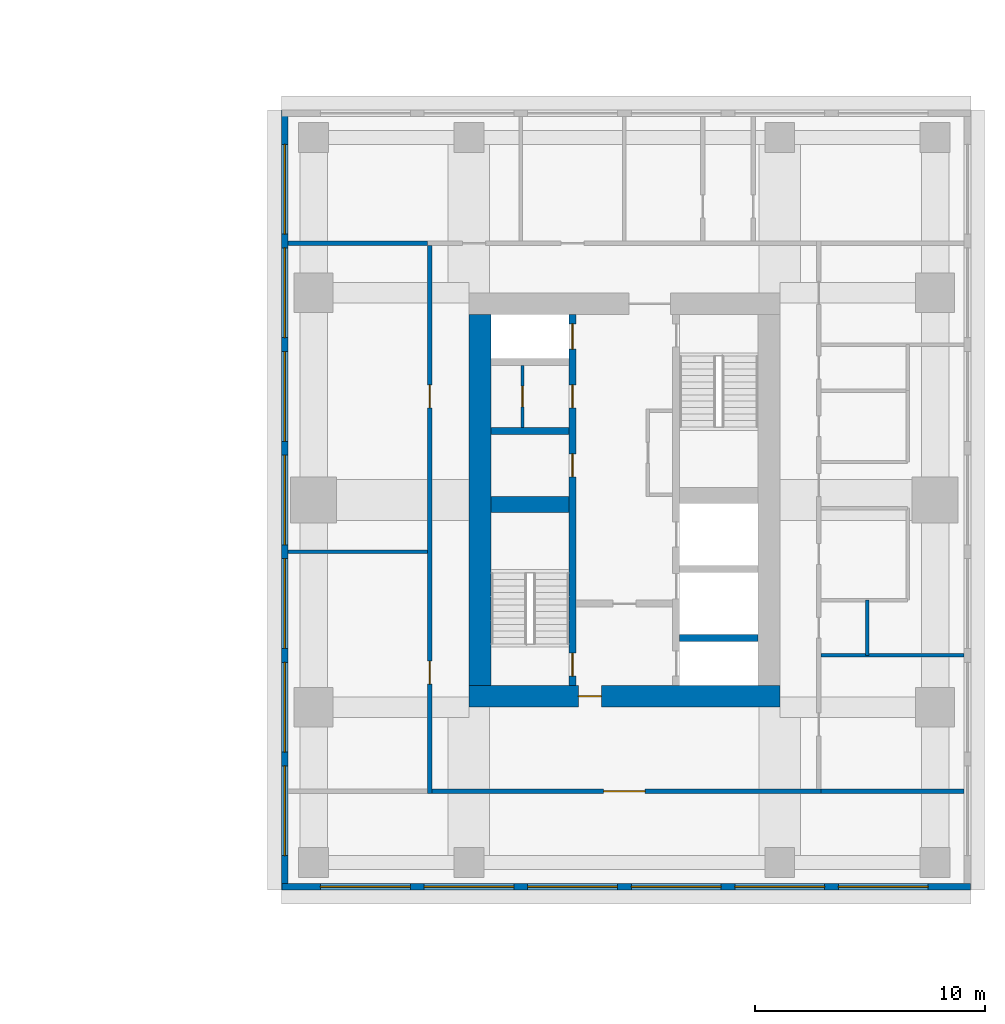
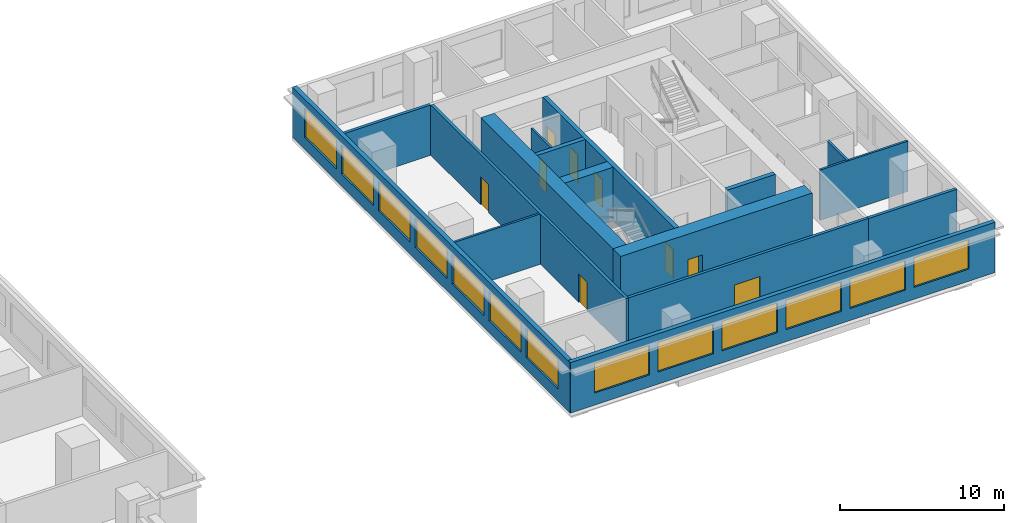
# One storey, part 6 of 11: 16 walls, 13 windows, 9 doors, 22 openings.
"""IFC4 building model written with IfcOpenShell, lengths in metres."""

from ifc_helpers import new_model, si_unit, direction, frame, frame_2d, origin, place, context, subcontext, project, spatial, rectangle, extrude, material, layer, layer_set, type_object, element, fill, save


model = new_model("IFC4")

# Units and contexts
model_context = context("Model", 3, precision=1e-05, world=origin(), true_north=direction((0.0, 1.0)))
body_context = subcontext(model_context, "Body", "Model", "MODEL_VIEW")
ifc_project = project(units=[si_unit("LENGTHUNIT", "METRE"), si_unit("AREAUNIT", "SQUARE_METRE"), si_unit("VOLUMEUNIT", "CUBIC_METRE"), si_unit("PLANEANGLEUNIT", "RADIAN"), si_unit("MASSUNIT", "GRAM", prefix="KILO")], contexts=[model_context])

# Site, building, storey
site_placement = place(None, origin())
site = spatial("IfcSite", under=ifc_project, at=site_placement, CompositionType="ELEMENT")
building_placement = place(site_placement, origin())
building = spatial("IfcBuilding", under=site, at=building_placement, Name="Namib Vertical Campus", CompositionType="ELEMENT")
storey_placement = place(building_placement, frame((0.0, 0.0, 205.0)))
storey = spatial("IfcBuildingStorey", under=building, at=storey_placement, Name="L48", CompositionType="ELEMENT", Elevation=205.0)

# Wall, openings, doors
ifc_material_1 = material(Name="Concrete C60/75", Category="concrete")
ifc_layer_1 = layer(ifc_material_1, 0.300048828125)
ifc_layer_set_1 = layer_set([ifc_layer_1], Name="Concrete C60/75")
wall_type_1 = type_object("IfcWallType", Name="Core inner wall 300", PredefinedType="SHEAR", material=ifc_layer_set_1)
wall_1_placement = place(storey_placement, frame((78.75, 12.199951171875, 0.0), z_axis=(0.0, 0.0, 1.0), x_axis=(0.0, 1.0, 0.0)))
wall_1 = element("IfcWall", 1, at=wall_1_placement, inside=storey, type_object=wall_type_1, Name="Core inner wall B L48 W1", PredefinedType="SHEAR", context=body_context, shape_type="SweptSolid", body=[
    extrude(rectangle(XDim=16.10009765625, YDim=0.300048828125, at=frame_2d((8.050048828125, 0.0))), origin(), (0.0, 0.0, 1.0), 4.0),
])
opening_1_placement = place(wall_1_placement, frame((0.39990234375, 0.0, 0.0)))
opening_1 = element("IfcOpeningElement", 2, at=opening_1_placement, cuts=wall_1, Name="Opening FD1", PredefinedType="OPENING", context=body_context, shape_type="SweptSolid", body=[
    extrude(rectangle(XDim=1.0, YDim=2.10009765625, at=frame_2d((0.5, 1.050048828125))), frame((0.0, 0.159912109375, 0.0), z_axis=(0.0, -1.0, 0.0), x_axis=(1.0, 0.0, 0.0)), (0.0, 0.0, 1.0), 0.320068359375),
])
opening_2_placement = place(wall_1_placement, frame((14.60009765625, 0.0, 0.0)))
opening_2 = element("IfcOpeningElement", 3, at=opening_2_placement, cuts=wall_1, Name="Opening LD1", PredefinedType="OPENING", context=body_context, shape_type="SweptSolid", body=[
    extrude(rectangle(XDim=1.10009765625, YDim=2.10009765625, at=frame_2d((0.550048828125, 1.050048828125))), frame((0.0, 0.159912109375, 0.0), z_axis=(0.0, -1.0, 0.0), x_axis=(1.0, 0.0, 0.0)), (0.0, 0.0, 1.0), 0.320068359375),
])
opening_3_placement = place(wall_1_placement, frame((9.050048828125, 0.0, 0.0)))
opening_3 = element("IfcOpeningElement", 4, at=opening_3_placement, cuts=wall_1, Name="Opening D1", PredefinedType="OPENING", context=body_context, shape_type="SweptSolid", body=[
    extrude(rectangle(XDim=1.0, YDim=2.10009765625, at=frame_2d((0.5, 1.050048828125))), frame((0.0, 0.159912109375, 0.0), z_axis=(0.0, -1.0, 0.0), x_axis=(1.0, 0.0, 0.0)), (0.0, 0.0, 1.0), 0.320068359375),
])
opening_4_placement = place(wall_1_placement, frame((12.050048828125, 0.0, 0.0)))
opening_4 = element("IfcOpeningElement", 5, at=opening_4_placement, cuts=wall_1, Name="Opening D1", PredefinedType="OPENING", context=body_context, shape_type="SweptSolid", body=[
    extrude(rectangle(XDim=1.0, YDim=2.10009765625, at=frame_2d((0.5, 1.050048828125))), frame((0.0, 0.159912109375, 0.0), z_axis=(0.0, -1.0, 0.0), x_axis=(1.0, 0.0, 0.0)), (0.0, 0.0, 1.0), 0.320068359375),
])
ifc_material_2 = material(Name="Timber door leaf", Category="wood")
door_type_1 = type_object("IfcDoorType", Name="Door single 1000x2100", OperationType="SINGLE_SWING_LEFT", PredefinedType="DOOR", material=ifc_material_2)
door_1_placement = place(opening_3_placement, origin())
door_1 = element("IfcDoor", 6, at=door_1_placement, inside=storey, type_object=door_type_1, Name="Door D1 Comms room B L48 P1", OperationType="SINGLE_SWING_LEFT", OverallHeight=2.10009765625, OverallWidth=1.0, PredefinedType="DOOR", context=body_context, shape_type="SweptSolid", body=[
    extrude(rectangle(XDim=1.0, YDim=2.10009765625, at=frame_2d((0.5, 1.050048828125))), frame((0.0, 0.02490234375, 0.0), z_axis=(0.0, -1.0, 0.0), x_axis=(1.0, 0.0, 0.0)), (0.0, 0.0, 1.0), 0.050048828125),
])
fill(opening_3, door_1)
door_2_placement = place(opening_4_placement, origin())
door_2 = element("IfcDoor", 7, at=door_2_placement, inside=storey, type_object=door_type_1, Name="Door D1 Store B L48 P2", OperationType="SINGLE_SWING_LEFT", OverallHeight=2.10009765625, OverallWidth=1.0, PredefinedType="DOOR", context=body_context, shape_type="SweptSolid", body=[
    extrude(rectangle(XDim=1.0, YDim=2.10009765625, at=frame_2d((0.5, 1.050048828125))), frame((0.0, 0.02490234375, 0.0), z_axis=(0.0, -1.0, 0.0), x_axis=(1.0, 0.0, 0.0)), (0.0, 0.0, 1.0), 0.050048828125),
])
fill(opening_4, door_2)
ifc_material_3 = material(Name="Steel fire door", Category="steel")
door_type_2 = type_object("IfcDoorType", Name="Fire door 1000x2100", OperationType="SINGLE_SWING_RIGHT", PredefinedType="DOOR", material=ifc_material_3)
door_3_placement = place(opening_1_placement, origin())
door_3 = element("IfcDoor", 8, at=door_3_placement, inside=storey, type_object=door_type_2, Name="Stair door FD1 B L48 S1", OperationType="SINGLE_SWING_LEFT", OverallHeight=2.10009765625, OverallWidth=1.0, PredefinedType="DOOR", context=body_context, shape_type="SweptSolid", body=[
    extrude(rectangle(XDim=1.0, YDim=2.10009765625, at=frame_2d((0.5, 1.050048828125))), frame((0.0, 0.02490234375, 0.0), z_axis=(0.0, -1.0, 0.0), x_axis=(1.0, 0.0, 0.0)), (0.0, 0.0, 1.0), 0.050048828125),
])
fill(opening_1, door_3)
ifc_material_4 = material(Name="Stainless steel lift door", Category="steel")
door_type_3 = type_object("IfcDoorType", Name="Lift landing door 1100x2100", OperationType="DOUBLE_DOOR_SLIDING", PredefinedType="DOOR", material=ifc_material_4)
door_4_placement = place(opening_2_placement, origin())
door_4 = element("IfcDoor", 9, at=door_4_placement, inside=storey, type_object=door_type_3, Name="Lift landing door LD1 B-P3 L48", OperationType="DOUBLE_DOOR_SLIDING", OverallHeight=2.10009765625, OverallWidth=1.10009765625, PredefinedType="DOOR", context=body_context, shape_type="SweptSolid", body=[
    extrude(rectangle(XDim=1.10009765625, YDim=2.10009765625, at=frame_2d((0.550048828125, 1.050048828125))), frame((0.0, 0.02490234375, 0.0), z_axis=(0.0, -1.0, 0.0), x_axis=(1.0, 0.0, 0.0)), (0.0, 0.0, 1.0), 0.050048828125),
])
fill(opening_2, door_4)

# Walls
for number, where, z_axis, x_axis, name in (
    (10, (83.39990234375, 14.25, 0.0), (0.0, 0.0, 1.0), (1.0, 0.0, 0.0), "Core inner wall B L48 W5"),
    (11, (75.199951171875, 23.25, 0.0), (0.0, 0.0, 1.0), (1.0, 0.0, 0.0), "Core inner wall B L48 W8"),
):
    element("IfcWall", number, at=place(storey_placement, frame(where, z_axis=z_axis, x_axis=x_axis)), inside=storey, type_object=wall_type_1, Name=name, PredefinedType="SHEAR", context=body_context, shape_type="SweptSolid", body=[
        extrude(rectangle(XDim=3.400146484375, YDim=0.300048828125, at=frame_2d((1.7001953125, 0.0))), origin(), (0.0, 0.0, 1.0), 4.0),
    ])
ifc_material_5 = material(Name="Concrete C60/75", Category="concrete")
ifc_layer_2 = layer(ifc_material_5, 0.699951171875)
ifc_layer_set_2 = layer_set([ifc_layer_2], Name="Concrete C60/75")
wall_type_2 = type_object("IfcWallType", Name="Core shear wall 700", PredefinedType="SHEAR", material=ifc_layer_set_2)
wall_2_placement = place(storey_placement, frame((75.199951171875, 20.050048828125, 0.0), z_axis=(0.0, 0.0, 1.0), x_axis=(1.0, 0.0, 0.0)))
element("IfcWall", 12, at=wall_2_placement, inside=storey, type_object=wall_type_2, Name="Core shear wall B L48 W3", PredefinedType="SHEAR", context=body_context, shape_type="SweptSolid", body=[
    extrude(rectangle(XDim=3.400146484375, YDim=0.699951171875, at=frame_2d((1.7001953125, 0.0))), origin(), (0.0, 0.0, 1.0), 4.0),
])

# Wall, opening, door
ifc_material_6 = material(Name="Concrete C60/75", Category="concrete")
ifc_layer_3 = layer(ifc_material_6, 0.949951171875)
ifc_layer_set_3 = layer_set([ifc_layer_3], Name="Concrete C60/75")
wall_type_3 = type_object("IfcWallType", Name="Core wall 950", PredefinedType="SHEAR", material=ifc_layer_set_3)
wall_3_placement = place(storey_placement, frame((74.25, 11.72509765625, 0.0), z_axis=(0.0, 0.0, 1.0), x_axis=(1.0, 0.0, 0.0)))
wall_3 = element("IfcWall", 13, at=wall_3_placement, inside=storey, type_object=wall_type_3, Name="Core wall B L48 1", PredefinedType="SHEAR", context=body_context, shape_type="SweptSolid", body=[
    extrude(rectangle(XDim=13.5, YDim=0.949951171875, at=frame_2d((6.75, 0.0))), origin(), (0.0, 0.0, 1.0), 4.0),
])
opening_5_placement = place(wall_3_placement, frame((4.75, 0.0, 0.0)))
opening_5 = element("IfcOpeningElement", 14, at=opening_5_placement, cuts=wall_3, Name="Opening FD5", PredefinedType="OPENING", context=body_context, shape_type="SweptSolid", body=[
    extrude(rectangle(XDim=1.0, YDim=2.10009765625, at=frame_2d((0.5, 1.050048828125))), frame((0.0, 0.48486328125, 0.0), z_axis=(0.0, -1.0, 0.0), x_axis=(1.0, 0.0, 0.0)), (0.0, 0.0, 1.0), 0.969970703125),
])
ifc_material_7 = material(Name="Steel fire door", Category="steel")
door_type_4 = type_object("IfcDoorType", Name="Fire door 1000x2100 120 min", OperationType="SINGLE_SWING_RIGHT", PredefinedType="DOOR", material=ifc_material_7)
door_5_placement = place(opening_5_placement, origin())
door_5 = element("IfcDoor", 15, at=door_5_placement, inside=storey, type_object=door_type_4, Name="Firefighting lobby door FD5 B L48", OperationType="SINGLE_SWING_LEFT", OverallHeight=2.10009765625, OverallWidth=1.0, PredefinedType="DOOR", context=body_context, shape_type="SweptSolid", body=[
    extrude(rectangle(XDim=1.0, YDim=2.10009765625, at=frame_2d((0.5, 1.050048828125))), frame((0.0, 0.02490234375, 0.0), z_axis=(0.0, -1.0, 0.0), x_axis=(1.0, 0.0, 0.0)), (0.0, 0.0, 1.0), 0.050048828125),
])
fill(opening_5, door_5)

# Wall
wall_4_placement = place(storey_placement, frame((74.72509765625, 28.300048828125, 0.0), z_axis=(0.0, 0.0, 1.0), x_axis=(0.0, -1.0, 0.0)))
element("IfcWall", 16, at=wall_4_placement, inside=storey, type_object=wall_type_3, Name="Core wall B L48 4", PredefinedType="SHEAR", context=body_context, shape_type="SweptSolid", body=[
    extrude(rectangle(XDim=16.10009765625, YDim=0.949951171875, at=frame_2d((8.050048828125, 0.0))), origin(), (0.0, 0.0, 1.0), 4.0),
])

# Wall, opening, door
ifc_material_8 = material(Name="Concrete masonry", Category="masonry")
ifc_layer_4 = layer(ifc_material_8, 0.199951171875)
ifc_layer_set_4 = layer_set([ifc_layer_4], Name="Corridor wall 200")
wall_type_4 = type_object("IfcWallType", Name="Corridor wall 200", PredefinedType="SOLIDWALL", material=ifc_layer_set_4)
wall_5_placement = place(storey_placement, frame((72.64990234375, 7.60009765625, 0.0), z_axis=(0.0, 0.0, 1.0), x_axis=(1.0, 0.0, 0.0)))
wall_5 = element("IfcWall", 17, at=wall_5_placement, inside=storey, type_object=wall_type_4, Name="Corridor wall B L48 CS", PredefinedType="SOLIDWALL", context=body_context, shape_type="SweptSolid", body=[
    extrude(rectangle(XDim=16.900146484375, YDim=0.199951171875, at=frame_2d((8.4501953125, 0.0))), origin(), (0.0, 0.0, 1.0), 3.75),
])
opening_6_placement = place(wall_5_placement, frame((7.449951171875, 0.0, 0.0)))
opening_6 = element("IfcOpeningElement", 18, at=opening_6_placement, cuts=wall_5, Name="Opening CD2", PredefinedType="OPENING", context=body_context, shape_type="SweptSolid", body=[
    extrude(rectangle(XDim=1.800048828125, YDim=2.10009765625, at=frame_2d((0.89990234375, 1.050048828125))), frame((0.0, 0.10986328125, 0.0), z_axis=(0.0, -1.0, 0.0), x_axis=(1.0, 0.0, 0.0)), (0.0, 0.0, 1.0), 0.219970703125),
])
ifc_material_9 = material(Name="Timber fire door leaf", Category="wood")
door_type_5 = type_object("IfcDoorType", Name="Corridor door double 1800x2100 20 min", OperationType="DOUBLE_DOOR_SINGLE_SWING", PredefinedType="DOOR", material=ifc_material_9)
door_6_placement = place(opening_6_placement, frame((1.800048828125, 0.0, 0.0), z_axis=(0.0, 0.0, 1.0), x_axis=(-1.0, 0.0, 0.0)))
door_6 = element("IfcDoor", 19, at=door_6_placement, inside=storey, type_object=door_type_5, Name="Door CD2 B48-01", OperationType="DOUBLE_DOOR_SINGLE_SWING", OverallHeight=2.10009765625, OverallWidth=1.800048828125, PredefinedType="DOOR", context=body_context, shape_type="SweptSolid", body=[
    extrude(rectangle(XDim=1.800048828125, YDim=2.10009765625, at=frame_2d((0.89990234375, 1.050048828125))), frame((0.0, 0.02490234375, 0.0), z_axis=(0.0, -1.0, 0.0), x_axis=(1.0, 0.0, 0.0)), (0.0, 0.0, 1.0), 0.050048828125),
])
fill(opening_6, door_6)

# Wall, openings, doors
wall_6_placement = place(storey_placement, frame((72.550048828125, 31.300048828125, 0.0), z_axis=(0.0, 0.0, 1.0), x_axis=(0.0, -1.0, 0.0)))
wall_6 = element("IfcWall", 20, at=wall_6_placement, inside=storey, type_object=wall_type_4, Name="Corridor wall B L48 CW", PredefinedType="SOLIDWALL", context=body_context, shape_type="SweptSolid", body=[
    extrude(rectangle(XDim=23.800048828125, YDim=0.199951171875, at=frame_2d((11.89990234375, 0.0))), origin(), (0.0, 0.0, 1.0), 3.75),
])
opening_7_placement = place(wall_6_placement, frame((18.050048828125, 0.0, 0.0)))
opening_7 = element("IfcOpeningElement", 21, at=opening_7_placement, cuts=wall_6, Name="Opening CD1", PredefinedType="OPENING", context=body_context, shape_type="SweptSolid", body=[
    extrude(rectangle(XDim=1.0, YDim=2.10009765625, at=frame_2d((0.5, 1.050048828125))), frame((0.0, 0.10986328125, 0.0), z_axis=(0.0, -1.0, 0.0), x_axis=(1.0, 0.0, 0.0)), (0.0, 0.0, 1.0), 0.219970703125),
])
opening_8_placement = place(wall_6_placement, frame((6.050048828125, 0.0, 0.0)))
opening_8 = element("IfcOpeningElement", 22, at=opening_8_placement, cuts=wall_6, Name="Opening CD1", PredefinedType="OPENING", context=body_context, shape_type="SweptSolid", body=[
    extrude(rectangle(XDim=1.0, YDim=2.10009765625, at=frame_2d((0.5, 1.050048828125))), frame((0.0, 0.10986328125, 0.0), z_axis=(0.0, -1.0, 0.0), x_axis=(1.0, 0.0, 0.0)), (0.0, 0.0, 1.0), 0.219970703125),
])
ifc_material_10 = material(Name="Timber fire door leaf", Category="wood")
door_type_6 = type_object("IfcDoorType", Name="Corridor door 1000x2100 20 min", OperationType="SINGLE_SWING_LEFT", PredefinedType="DOOR", material=ifc_material_10)
door_7_placement = place(opening_7_placement, frame((1.0, 0.0, 0.0), z_axis=(0.0, 0.0, 1.0), x_axis=(-1.0, 0.0, 0.0)))
door_7 = element("IfcDoor", 23, at=door_7_placement, inside=storey, type_object=door_type_6, Name="Door CD1 B48-13", OperationType="SINGLE_SWING_RIGHT", OverallHeight=2.10009765625, OverallWidth=1.0, PredefinedType="DOOR", context=body_context, shape_type="SweptSolid", body=[
    extrude(rectangle(XDim=1.0, YDim=2.10009765625, at=frame_2d((0.5, 1.050048828125))), frame((0.0, 0.02490234375, 0.0), z_axis=(0.0, -1.0, 0.0), x_axis=(1.0, 0.0, 0.0)), (0.0, 0.0, 1.0), 0.050048828125),
])
fill(opening_7, door_7)
door_8_placement = place(opening_8_placement, frame((1.0, 0.0, 0.0), z_axis=(0.0, 0.0, 1.0), x_axis=(-1.0, 0.0, 0.0)))
door_8 = element("IfcDoor", 24, at=door_8_placement, inside=storey, type_object=door_type_6, Name="Door CD1 B48-14", OperationType="SINGLE_SWING_RIGHT", OverallHeight=2.10009765625, OverallWidth=1.0, PredefinedType="DOOR", context=body_context, shape_type="SweptSolid", body=[
    extrude(rectangle(XDim=1.0, YDim=2.10009765625, at=frame_2d((0.5, 1.050048828125))), frame((0.0, 0.02490234375, 0.0), z_axis=(0.0, -1.0, 0.0), x_axis=(1.0, 0.0, 0.0)), (0.0, 0.0, 1.0), 0.050048828125),
])
fill(opening_8, door_8)

# Walls
wall_7_placement = place(storey_placement, frame((89.550048828125, 7.60009765625, 0.0), z_axis=(0.0, 0.0, 1.0), x_axis=(1.0, 0.0, 0.0)))
element("IfcWall", 25, at=wall_7_placement, inside=storey, type_object=wall_type_4, Name="Partition B L48 BSE", PredefinedType="SOLIDWALL", context=body_context, shape_type="SweptSolid", body=[
    extrude(rectangle(XDim=6.199951171875, YDim=0.199951171875, at=frame_2d((3.10009765625, 0.0))), origin(), (0.0, 0.0, 1.0), 3.75),
])
wall_8_placement = place(storey_placement, frame((66.39990234375, 31.39990234375, 0.0), z_axis=(0.0, 0.0, 1.0), x_axis=(1.0, 0.0, 0.0)))
element("IfcWall", 26, at=wall_8_placement, inside=storey, type_object=wall_type_4, Name="Partition B L48 BNW", PredefinedType="SOLIDWALL", context=body_context, shape_type="SweptSolid", body=[
    extrude(rectangle(XDim=6.050048828125, YDim=0.199951171875, at=frame_2d((3.02490234375, 0.0))), origin(), (0.0, 0.0, 1.0), 3.75),
])

# Wall, openings, windows
ifc_material_11 = material(Name="Concrete C40/50", Category="concrete")
ifc_layer_5 = layer(ifc_material_11, 0.300048828125)
ifc_layer_set_5 = layer_set([ifc_layer_5], Name="Concrete C40/50")
wall_type_5 = type_object("IfcWallType", Name="External wall 300 board-marked concrete", PredefinedType="STANDARD", material=ifc_layer_set_5)
wall_9_placement = place(storey_placement, frame((66.1201171875, 3.449951171875, 0.0), z_axis=(0.0, 0.0, 1.0), x_axis=(1.0, 0.0, 0.0)))
wall_9 = element("IfcWall", 27, at=wall_9_placement, inside=storey, type_object=wall_type_5, Name="External wall L48 F01", PredefinedType="STANDARD", context=body_context, shape_type="SweptSolid", body=[
    extrude(rectangle(XDim=29.909912109375, YDim=0.300048828125, at=frame_2d((14.955078125, 0.0))), origin(), (0.0, 0.0, 1.0), 3.75),
])
opening_9_placement = place(wall_9_placement, frame((1.679931640625, 0.0, 0.89990234375)))
opening_9 = element("IfcOpeningElement", 28, at=opening_9_placement, cuts=wall_9, Name="Opening W1", PredefinedType="OPENING", context=body_context, shape_type="SweptSolid", body=[
    extrude(rectangle(XDim=3.89990234375, YDim=2.199951171875, at=frame_2d((1.949951171875, 1.10009765625))), frame((0.0, 0.159912109375, 0.0), z_axis=(0.0, -1.0, 0.0), x_axis=(1.0, 0.0, 0.0)), (0.0, 0.0, 1.0), 0.320068359375),
])
opening_10_placement = place(wall_9_placement, frame((6.179931640625, 0.0, 0.89990234375)))
opening_10 = element("IfcOpeningElement", 29, at=opening_10_placement, cuts=wall_9, Name="Opening W1", PredefinedType="OPENING", context=body_context, shape_type="SweptSolid", body=[
    extrude(rectangle(XDim=3.89990234375, YDim=2.199951171875, at=frame_2d((1.949951171875, 1.10009765625))), frame((0.0, 0.159912109375, 0.0), z_axis=(0.0, -1.0, 0.0), x_axis=(1.0, 0.0, 0.0)), (0.0, 0.0, 1.0), 0.320068359375),
])
opening_11_placement = place(wall_9_placement, frame((10.679931640625, 0.0, 0.89990234375)))
opening_11 = element("IfcOpeningElement", 30, at=opening_11_placement, cuts=wall_9, Name="Opening W1", PredefinedType="OPENING", context=body_context, shape_type="SweptSolid", body=[
    extrude(rectangle(XDim=3.89990234375, YDim=2.199951171875, at=frame_2d((1.949951171875, 1.10009765625))), frame((0.0, 0.159912109375, 0.0), z_axis=(0.0, -1.0, 0.0), x_axis=(1.0, 0.0, 0.0)), (0.0, 0.0, 1.0), 0.320068359375),
])
opening_12_placement = place(wall_9_placement, frame((15.179931640625, 0.0, 0.89990234375)))
opening_12 = element("IfcOpeningElement", 31, at=opening_12_placement, cuts=wall_9, Name="Opening W1", PredefinedType="OPENING", context=body_context, shape_type="SweptSolid", body=[
    extrude(rectangle(XDim=3.89990234375, YDim=2.199951171875, at=frame_2d((1.949951171875, 1.10009765625))), frame((0.0, 0.159912109375, 0.0), z_axis=(0.0, -1.0, 0.0), x_axis=(1.0, 0.0, 0.0)), (0.0, 0.0, 1.0), 0.320068359375),
])
opening_13_placement = place(wall_9_placement, frame((19.679931640625, 0.0, 0.89990234375)))
opening_13 = element("IfcOpeningElement", 32, at=opening_13_placement, cuts=wall_9, Name="Opening W1", PredefinedType="OPENING", context=body_context, shape_type="SweptSolid", body=[
    extrude(rectangle(XDim=3.89990234375, YDim=2.199951171875, at=frame_2d((1.949951171875, 1.10009765625))), frame((0.0, 0.159912109375, 0.0), z_axis=(0.0, -1.0, 0.0), x_axis=(1.0, 0.0, 0.0)), (0.0, 0.0, 1.0), 0.320068359375),
])
opening_14_placement = place(wall_9_placement, frame((24.179931640625, 0.0, 0.89990234375)))
opening_14 = element("IfcOpeningElement", 33, at=opening_14_placement, cuts=wall_9, Name="Opening W1", PredefinedType="OPENING", context=body_context, shape_type="SweptSolid", body=[
    extrude(rectangle(XDim=3.89990234375, YDim=2.199951171875, at=frame_2d((1.949951171875, 1.10009765625))), frame((0.0, 0.159912109375, 0.0), z_axis=(0.0, -1.0, 0.0), x_axis=(1.0, 0.0, 0.0)), (0.0, 0.0, 1.0), 0.320068359375),
])
ifc_material_12 = material(Name="Dark tinted glass in black aluminium frame", Category="aluminium")
window_type = type_object("IfcWindowType", Name="Ribbon window 3900x2200", PartitioningType="SINGLE_PANEL", PredefinedType="WINDOW", material=ifc_material_12)
window_1_placement = place(opening_9_placement, origin())
window_1 = element("IfcWindow", 34, at=window_1_placement, inside=storey, type_object=window_type, Name="Window W1 L48 F01-1", OverallHeight=2.199951171875, OverallWidth=3.89990234375, PartitioningType="SINGLE_PANEL", PredefinedType="WINDOW", context=body_context, shape_type="SweptSolid", body=[
    extrude(rectangle(XDim=3.89990234375, YDim=2.199951171875, at=frame_2d((1.949951171875, 1.10009765625))), frame((0.0, 0.030029296875, 0.0), z_axis=(0.0, -1.0, 0.0), x_axis=(1.0, 0.0, 0.0)), (0.0, 0.0, 1.0), 0.06005859375),
])
fill(opening_9, window_1)
window_2_placement = place(opening_10_placement, origin())
window_2 = element("IfcWindow", 35, at=window_2_placement, inside=storey, type_object=window_type, Name="Window W1 L48 F01-2", OverallHeight=2.199951171875, OverallWidth=3.89990234375, PartitioningType="SINGLE_PANEL", PredefinedType="WINDOW", context=body_context, shape_type="SweptSolid", body=[
    extrude(rectangle(XDim=3.89990234375, YDim=2.199951171875, at=frame_2d((1.949951171875, 1.10009765625))), frame((0.0, 0.030029296875, 0.0), z_axis=(0.0, -1.0, 0.0), x_axis=(1.0, 0.0, 0.0)), (0.0, 0.0, 1.0), 0.06005859375),
])
fill(opening_10, window_2)
window_3_placement = place(opening_11_placement, origin())
window_3 = element("IfcWindow", 36, at=window_3_placement, inside=storey, type_object=window_type, Name="Window W1 L48 F01-3", OverallHeight=2.199951171875, OverallWidth=3.89990234375, PartitioningType="SINGLE_PANEL", PredefinedType="WINDOW", context=body_context, shape_type="SweptSolid", body=[
    extrude(rectangle(XDim=3.89990234375, YDim=2.199951171875, at=frame_2d((1.949951171875, 1.10009765625))), frame((0.0, 0.030029296875, 0.0), z_axis=(0.0, -1.0, 0.0), x_axis=(1.0, 0.0, 0.0)), (0.0, 0.0, 1.0), 0.06005859375),
])
fill(opening_11, window_3)
window_4_placement = place(opening_12_placement, origin())
window_4 = element("IfcWindow", 37, at=window_4_placement, inside=storey, type_object=window_type, Name="Window W1 L48 F01-4", OverallHeight=2.199951171875, OverallWidth=3.89990234375, PartitioningType="SINGLE_PANEL", PredefinedType="WINDOW", context=body_context, shape_type="SweptSolid", body=[
    extrude(rectangle(XDim=3.89990234375, YDim=2.199951171875, at=frame_2d((1.949951171875, 1.10009765625))), frame((0.0, 0.030029296875, 0.0), z_axis=(0.0, -1.0, 0.0), x_axis=(1.0, 0.0, 0.0)), (0.0, 0.0, 1.0), 0.06005859375),
])
fill(opening_12, window_4)
window_5_placement = place(opening_13_placement, origin())
window_5 = element("IfcWindow", 38, at=window_5_placement, inside=storey, type_object=window_type, Name="Window W1 L48 F01-5", OverallHeight=2.199951171875, OverallWidth=3.89990234375, PartitioningType="SINGLE_PANEL", PredefinedType="WINDOW", context=body_context, shape_type="SweptSolid", body=[
    extrude(rectangle(XDim=3.89990234375, YDim=2.199951171875, at=frame_2d((1.949951171875, 1.10009765625))), frame((0.0, 0.030029296875, 0.0), z_axis=(0.0, -1.0, 0.0), x_axis=(1.0, 0.0, 0.0)), (0.0, 0.0, 1.0), 0.06005859375),
])
fill(opening_13, window_5)
window_6_placement = place(opening_14_placement, origin())
window_6 = element("IfcWindow", 39, at=window_6_placement, inside=storey, type_object=window_type, Name="Window W1 L48 F01-6", OverallHeight=2.199951171875, OverallWidth=3.89990234375, PartitioningType="SINGLE_PANEL", PredefinedType="WINDOW", context=body_context, shape_type="SweptSolid", body=[
    extrude(rectangle(XDim=3.89990234375, YDim=2.199951171875, at=frame_2d((1.949951171875, 1.10009765625))), frame((0.0, 0.030029296875, 0.0), z_axis=(0.0, -1.0, 0.0), x_axis=(1.0, 0.0, 0.0)), (0.0, 0.0, 1.0), 0.06005859375),
])
fill(opening_14, window_6)

wall_10_placement = place(storey_placement, frame((66.25, 37.179931640625, 0.0), z_axis=(0.0, 0.0, 1.0), x_axis=(0.0, -1.0, 0.0)))
wall_10 = element("IfcWall", 40, at=wall_10_placement, inside=storey, type_object=wall_type_5, Name="External wall L48 F04", PredefinedType="STANDARD", context=body_context, shape_type="SweptSolid", body=[
    extrude(rectangle(XDim=33.85986328125, YDim=0.300048828125, at=frame_2d((16.929931640625, 0.0))), origin(), (0.0, 0.0, 1.0), 3.75),
])
opening_15_placement = place(wall_10_placement, frame((28.47998046875, 0.0, 0.89990234375)))
opening_15 = element("IfcOpeningElement", 41, at=opening_15_placement, cuts=wall_10, Name="Opening W1", PredefinedType="OPENING", context=body_context, shape_type="SweptSolid", body=[
    extrude(rectangle(XDim=3.89990234375, YDim=2.199951171875, at=frame_2d((1.949951171875, 1.10009765625))), frame((0.0, 0.159912109375, 0.0), z_axis=(0.0, -1.0, 0.0), x_axis=(1.0, 0.0, 0.0)), (0.0, 0.0, 1.0), 0.320068359375),
])
opening_16_placement = place(wall_10_placement, frame((23.97998046875, 0.0, 0.89990234375)))
opening_16 = element("IfcOpeningElement", 42, at=opening_16_placement, cuts=wall_10, Name="Opening W1", PredefinedType="OPENING", context=body_context, shape_type="SweptSolid", body=[
    extrude(rectangle(XDim=3.89990234375, YDim=2.199951171875, at=frame_2d((1.949951171875, 1.10009765625))), frame((0.0, 0.159912109375, 0.0), z_axis=(0.0, -1.0, 0.0), x_axis=(1.0, 0.0, 0.0)), (0.0, 0.0, 1.0), 0.320068359375),
])
opening_17_placement = place(wall_10_placement, frame((19.47998046875, 0.0, 0.89990234375)))
opening_17 = element("IfcOpeningElement", 43, at=opening_17_placement, cuts=wall_10, Name="Opening W1", PredefinedType="OPENING", context=body_context, shape_type="SweptSolid", body=[
    extrude(rectangle(XDim=3.89990234375, YDim=2.199951171875, at=frame_2d((1.949951171875, 1.10009765625))), frame((0.0, 0.159912109375, 0.0), z_axis=(0.0, -1.0, 0.0), x_axis=(1.0, 0.0, 0.0)), (0.0, 0.0, 1.0), 0.320068359375),
])
opening_18_placement = place(wall_10_placement, frame((14.97998046875, 0.0, 0.89990234375)))
opening_18 = element("IfcOpeningElement", 44, at=opening_18_placement, cuts=wall_10, Name="Opening W1", PredefinedType="OPENING", context=body_context, shape_type="SweptSolid", body=[
    extrude(rectangle(XDim=3.89990234375, YDim=2.199951171875, at=frame_2d((1.949951171875, 1.10009765625))), frame((0.0, 0.159912109375, 0.0), z_axis=(0.0, -1.0, 0.0), x_axis=(1.0, 0.0, 0.0)), (0.0, 0.0, 1.0), 0.320068359375),
])
opening_19_placement = place(wall_10_placement, frame((10.47998046875, 0.0, 0.89990234375)))
opening_19 = element("IfcOpeningElement", 45, at=opening_19_placement, cuts=wall_10, Name="Opening W1", PredefinedType="OPENING", context=body_context, shape_type="SweptSolid", body=[
    extrude(rectangle(XDim=3.89990234375, YDim=2.199951171875, at=frame_2d((1.949951171875, 1.10009765625))), frame((0.0, 0.159912109375, 0.0), z_axis=(0.0, -1.0, 0.0), x_axis=(1.0, 0.0, 0.0)), (0.0, 0.0, 1.0), 0.320068359375),
])
opening_20_placement = place(wall_10_placement, frame((5.97998046875, 0.0, 0.89990234375)))
opening_20 = element("IfcOpeningElement", 46, at=opening_20_placement, cuts=wall_10, Name="Opening W1", PredefinedType="OPENING", context=body_context, shape_type="SweptSolid", body=[
    extrude(rectangle(XDim=3.89990234375, YDim=2.199951171875, at=frame_2d((1.949951171875, 1.10009765625))), frame((0.0, 0.159912109375, 0.0), z_axis=(0.0, -1.0, 0.0), x_axis=(1.0, 0.0, 0.0)), (0.0, 0.0, 1.0), 0.320068359375),
])
opening_21_placement = place(wall_10_placement, frame((1.47998046875, 0.0, 0.89990234375)))
opening_21 = element("IfcOpeningElement", 47, at=opening_21_placement, cuts=wall_10, Name="Opening W1", PredefinedType="OPENING", context=body_context, shape_type="SweptSolid", body=[
    extrude(rectangle(XDim=3.89990234375, YDim=2.199951171875, at=frame_2d((1.949951171875, 1.10009765625))), frame((0.0, 0.159912109375, 0.0), z_axis=(0.0, -1.0, 0.0), x_axis=(1.0, 0.0, 0.0)), (0.0, 0.0, 1.0), 0.320068359375),
])
window_7_placement = place(opening_15_placement, origin())
window_7 = element("IfcWindow", 48, at=window_7_placement, inside=storey, type_object=window_type, Name="Window W1 L48 F04-1", OverallHeight=2.199951171875, OverallWidth=3.89990234375, PartitioningType="SINGLE_PANEL", PredefinedType="WINDOW", context=body_context, shape_type="SweptSolid", body=[
    extrude(rectangle(XDim=3.89990234375, YDim=2.199951171875, at=frame_2d((1.949951171875, 1.10009765625))), frame((0.0, 0.030029296875, 0.0), z_axis=(0.0, -1.0, 0.0), x_axis=(1.0, 0.0, 0.0)), (0.0, 0.0, 1.0), 0.06005859375),
])
fill(opening_15, window_7)
window_8_placement = place(opening_16_placement, origin())
window_8 = element("IfcWindow", 49, at=window_8_placement, inside=storey, type_object=window_type, Name="Window W1 L48 F04-2", OverallHeight=2.199951171875, OverallWidth=3.89990234375, PartitioningType="SINGLE_PANEL", PredefinedType="WINDOW", context=body_context, shape_type="SweptSolid", body=[
    extrude(rectangle(XDim=3.89990234375, YDim=2.199951171875, at=frame_2d((1.949951171875, 1.10009765625))), frame((0.0, 0.030029296875, 0.0), z_axis=(0.0, -1.0, 0.0), x_axis=(1.0, 0.0, 0.0)), (0.0, 0.0, 1.0), 0.06005859375),
])
fill(opening_16, window_8)
window_9_placement = place(opening_17_placement, origin())
window_9 = element("IfcWindow", 50, at=window_9_placement, inside=storey, type_object=window_type, Name="Window W1 L48 F04-3", OverallHeight=2.199951171875, OverallWidth=3.89990234375, PartitioningType="SINGLE_PANEL", PredefinedType="WINDOW", context=body_context, shape_type="SweptSolid", body=[
    extrude(rectangle(XDim=3.89990234375, YDim=2.199951171875, at=frame_2d((1.949951171875, 1.10009765625))), frame((0.0, 0.030029296875, 0.0), z_axis=(0.0, -1.0, 0.0), x_axis=(1.0, 0.0, 0.0)), (0.0, 0.0, 1.0), 0.06005859375),
])
fill(opening_17, window_9)
window_10_placement = place(opening_18_placement, origin())
window_10 = element("IfcWindow", 51, at=window_10_placement, inside=storey, type_object=window_type, Name="Window W1 L48 F04-4", OverallHeight=2.199951171875, OverallWidth=3.89990234375, PartitioningType="SINGLE_PANEL", PredefinedType="WINDOW", context=body_context, shape_type="SweptSolid", body=[
    extrude(rectangle(XDim=3.89990234375, YDim=2.199951171875, at=frame_2d((1.949951171875, 1.10009765625))), frame((0.0, 0.030029296875, 0.0), z_axis=(0.0, -1.0, 0.0), x_axis=(1.0, 0.0, 0.0)), (0.0, 0.0, 1.0), 0.06005859375),
])
fill(opening_18, window_10)
window_11_placement = place(opening_19_placement, origin())
window_11 = element("IfcWindow", 52, at=window_11_placement, inside=storey, type_object=window_type, Name="Window W1 L48 F04-5", OverallHeight=2.199951171875, OverallWidth=3.89990234375, PartitioningType="SINGLE_PANEL", PredefinedType="WINDOW", context=body_context, shape_type="SweptSolid", body=[
    extrude(rectangle(XDim=3.89990234375, YDim=2.199951171875, at=frame_2d((1.949951171875, 1.10009765625))), frame((0.0, 0.030029296875, 0.0), z_axis=(0.0, -1.0, 0.0), x_axis=(1.0, 0.0, 0.0)), (0.0, 0.0, 1.0), 0.06005859375),
])
fill(opening_19, window_11)
window_12_placement = place(opening_20_placement, origin())
window_12 = element("IfcWindow", 53, at=window_12_placement, inside=storey, type_object=window_type, Name="Window W1 L48 F04-6", OverallHeight=2.199951171875, OverallWidth=3.89990234375, PartitioningType="SINGLE_PANEL", PredefinedType="WINDOW", context=body_context, shape_type="SweptSolid", body=[
    extrude(rectangle(XDim=3.89990234375, YDim=2.199951171875, at=frame_2d((1.949951171875, 1.10009765625))), frame((0.0, 0.030029296875, 0.0), z_axis=(0.0, -1.0, 0.0), x_axis=(1.0, 0.0, 0.0)), (0.0, 0.0, 1.0), 0.06005859375),
])
fill(opening_20, window_12)
window_13_placement = place(opening_21_placement, origin())
window_13 = element("IfcWindow", 54, at=window_13_placement, inside=storey, type_object=window_type, Name="Window W1 L48 F04-7", OverallHeight=2.199951171875, OverallWidth=3.89990234375, PartitioningType="SINGLE_PANEL", PredefinedType="WINDOW", context=body_context, shape_type="SweptSolid", body=[
    extrude(rectangle(XDim=3.89990234375, YDim=2.199951171875, at=frame_2d((1.949951171875, 1.10009765625))), frame((0.0, 0.030029296875, 0.0), z_axis=(0.0, -1.0, 0.0), x_axis=(1.0, 0.0, 0.0)), (0.0, 0.0, 1.0), 0.06005859375),
])
fill(opening_21, window_13)

# Wall, opening, door
ifc_material_13 = material(Name="Gypsum board on steel studs", Category="steel")
ifc_layer_6 = layer(ifc_material_13, 0.14990234375)
ifc_layer_set_6 = layer_set([ifc_layer_6], Name="Gypsum board on steel studs")
wall_type_6 = type_object("IfcWallType", Name="Partition 150", PredefinedType="PARTITIONING", material=ifc_layer_set_6)
wall_11_placement = place(storey_placement, frame((76.574951171875, 23.39990234375, 0.0), z_axis=(0.0, 0.0, 1.0), x_axis=(0.0, 1.0, 0.0)))
wall_11 = element("IfcWall", 55, at=wall_11_placement, inside=storey, type_object=wall_type_6, Name="Partition B L48 Store P2 back", PredefinedType="PARTITIONING", context=body_context, shape_type="SweptSolid", body=[
    extrude(rectangle(XDim=2.7001953125, YDim=0.14990234375, at=frame_2d((1.35009765625, 0.0))), origin(), (0.0, 0.0, 1.0), 3.75),
])
opening_22_placement = place(wall_11_placement, frame((0.89990234375, 0.0, 0.0)))
opening_22 = element("IfcOpeningElement", 56, at=opening_22_placement, cuts=wall_11, Name="Opening D3", PredefinedType="OPENING", context=body_context, shape_type="SweptSolid", body=[
    extrude(rectangle(XDim=0.89990234375, YDim=2.10009765625, at=frame_2d((0.449951171875, 1.050048828125))), frame((0.0, 0.0849609375, 0.0), z_axis=(0.0, -1.0, 0.0), x_axis=(1.0, 0.0, 0.0)), (0.0, 0.0, 1.0), 0.169921875),
])
ifc_material_14 = material(Name="Timber door leaf", Category="wood")
door_type_7 = type_object("IfcDoorType", Name="Toilet door 900x2100", OperationType="SINGLE_SWING_LEFT", PredefinedType="DOOR", material=ifc_material_14)
door_9_placement = place(opening_22_placement, origin())
door_9 = element("IfcDoor", 57, at=door_9_placement, inside=storey, type_object=door_type_7, Name="Door D3 Store B L48 P2", OperationType="SINGLE_SWING_LEFT", OverallHeight=2.10009765625, OverallWidth=0.89990234375, PredefinedType="DOOR", context=body_context, shape_type="SweptSolid", body=[
    extrude(rectangle(XDim=0.89990234375, YDim=2.10009765625, at=frame_2d((0.449951171875, 1.050048828125))), frame((0.0, 0.02490234375, 0.0), z_axis=(0.0, -1.0, 0.0), x_axis=(1.0, 0.0, 0.0)), (0.0, 0.0, 1.0), 0.050048828125),
])
fill(opening_22, door_9)

# Walls
wall_12_placement = place(storey_placement, frame((89.550048828125, 13.5, 0.0), z_axis=(0.0, 0.0, 1.0), x_axis=(1.0, 0.0, 0.0)))
element("IfcWall", 58, at=wall_12_placement, inside=storey, type_object=wall_type_6, Name="Partition B L48 PE1", PredefinedType="PARTITIONING", context=body_context, shape_type="SweptSolid", body=[
    extrude(rectangle(XDim=6.199951171875, YDim=0.14990234375, at=frame_2d((3.10009765625, 0.0))), origin(), (0.0, 0.0, 1.0), 3.75),
])
wall_13_placement = place(storey_placement, frame((66.39990234375, 18.0, 0.0), z_axis=(0.0, 0.0, 1.0), x_axis=(1.0, 0.0, 0.0)))
element("IfcWall", 59, at=wall_13_placement, inside=storey, type_object=wall_type_6, Name="Partition B L48 PW1", PredefinedType="PARTITIONING", context=body_context, shape_type="SweptSolid", body=[
    extrude(rectangle(XDim=6.050048828125, YDim=0.14990234375, at=frame_2d((3.02490234375, 0.0))), origin(), (0.0, 0.0, 1.0), 3.75),
])
wall_14_placement = place(storey_placement, frame((91.550048828125, 13.5, 0.0), z_axis=(0.0, 0.0, 1.0), x_axis=(0.0, 1.0, 0.0)))
element("IfcWall", 60, at=wall_14_placement, inside=storey, type_object=wall_type_6, Name="Partition B L48 WB1", PredefinedType="PARTITIONING", context=body_context, shape_type="SweptSolid", body=[
    extrude(rectangle(XDim=2.39990234375, YDim=0.14990234375, at=frame_2d((1.199951171875, 0.0))), origin(), (0.0, 0.0, 1.0), 3.75),
])

save(model, "model.ifc")
